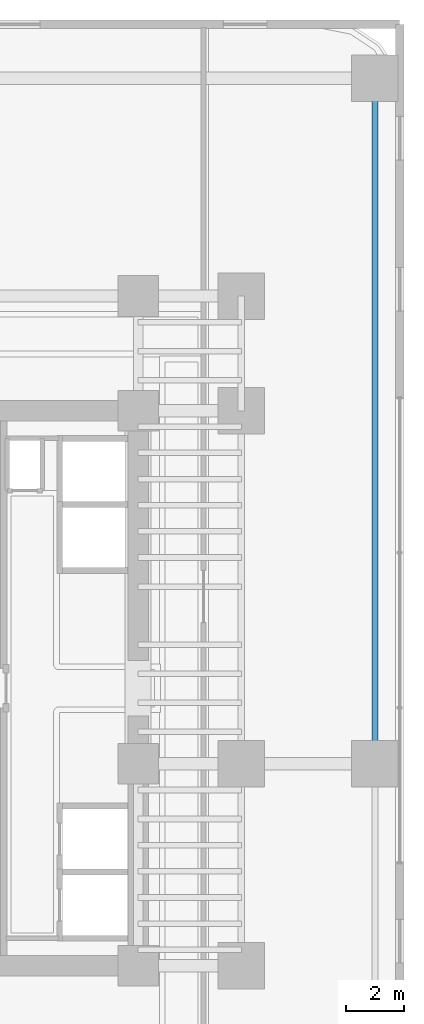
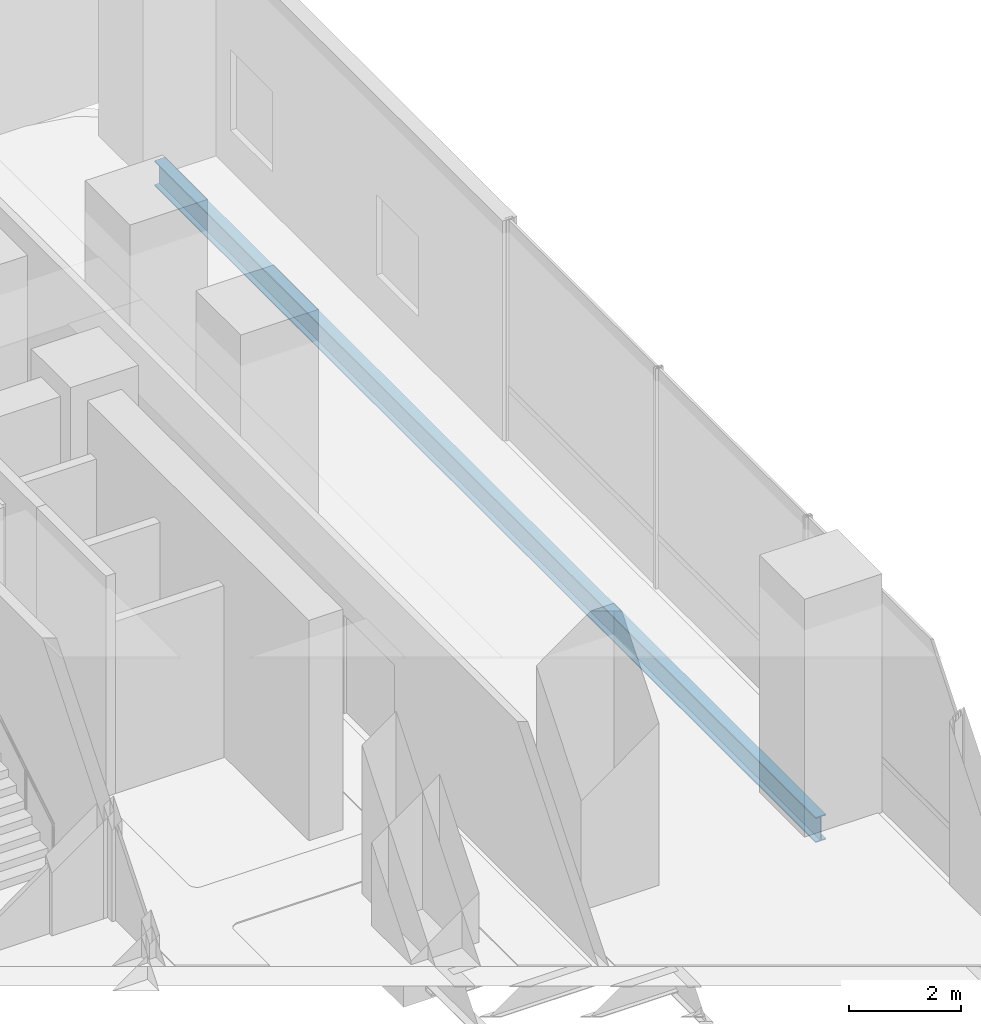
# One storey, part 23 of 39: 1 beam.
"""IFC4 building model written with IfcOpenShell, lengths in metres."""

from ifc_helpers import new_model, si_unit, direction, frame, origin, origin_2d, place, context, subcontext, project, spatial, i_section, extrude, source, transform, mapped, material, material_profile, profile_set, type_object, element, save


model = new_model("IFC4")

# Units and contexts
model_context = context("Model", 3, precision=1e-05, world=origin(), true_north=direction((0.0, 1.0)))
body_context = subcontext(model_context, "Body", "Model", "MODEL_VIEW")
ifc_project = project(units=[si_unit("LENGTHUNIT", "METRE"), si_unit("AREAUNIT", "SQUARE_METRE"), si_unit("VOLUMEUNIT", "CUBIC_METRE"), si_unit("PLANEANGLEUNIT", "RADIAN"), si_unit("MASSUNIT", "GRAM", prefix="KILO")], contexts=[model_context])

# Site, building, storey
site_placement = place(None, origin())
site = spatial("IfcSite", under=ifc_project, at=site_placement, CompositionType="ELEMENT")
building_placement = place(site_placement, origin())
building = spatial("IfcBuilding", under=site, at=building_placement, Name="Valdorenza Pilgrim Sanctuary Tower", CompositionType="ELEMENT")
storey_placement = place(building_placement, frame((0.0, 0.0, 15.60009765625)))
storey = spatial("IfcBuildingStorey", under=building, at=storey_placement, Name="L03", CompositionType="ELEMENT", Elevation=15.60009765625)

# Beam
ifc_material = material(Name="Steel ASTM A992 Grade 50", Category="steel")
ifc_material_profile = material_profile(ifc_material, i_section(OverallWidth=0.214111328125, OverallDepth=0.549072265625, WebThickness=0.0146484375, FlangeThickness=0.023681640625, at=origin_2d()), Name="W21X93")
ifc_profile_set = profile_set([ifc_material_profile], Name="Steel ASTM A992 Grade 50")
beam_type = type_object("IfcBeamType", Name="STR-BM-SPN-W21A", PredefinedType="SPANDREL", material=ifc_profile_set)
shared_shape = source(origin(), body_context, "Body", "SweptSolid", [
    extrude(i_section(OverallWidth=0.214111328125, OverallDepth=0.549072265625, WebThickness=0.0146484375, FlangeThickness=0.023681640625, at=origin_2d()), origin(), (0.0, 0.0, 1.0), 23.60009765625),
])
beam_placement = place(storey_placement, frame((33.0, -2.60009765625, -0.5546875), z_axis=(0.0, 1.0, 0.0), x_axis=(-1.0, 0.0, 0.0)))
element("IfcBeam", 1, at=beam_placement, inside=storey, type_object=beam_type, Name="L03 Floor Girder POD-SPN-EN", PredefinedType="SPANDREL", context=body_context, shape_type="MappedRepresentation", body=[
    mapped(shared_shape, transform((0.0, 0.0, 0.0), x_axis=(1.0, 0.0, 0.0), y_axis=(0.0, 1.0, 0.0), z_axis=(0.0, 0.0, 1.0), scale=1.0)),
])

save(model, "model.ifc")
